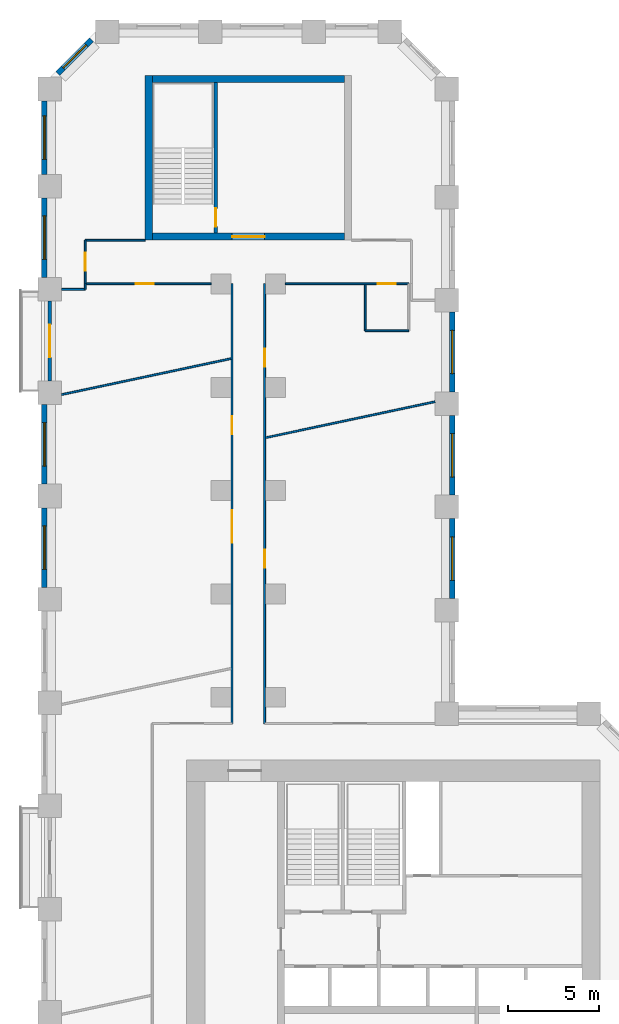
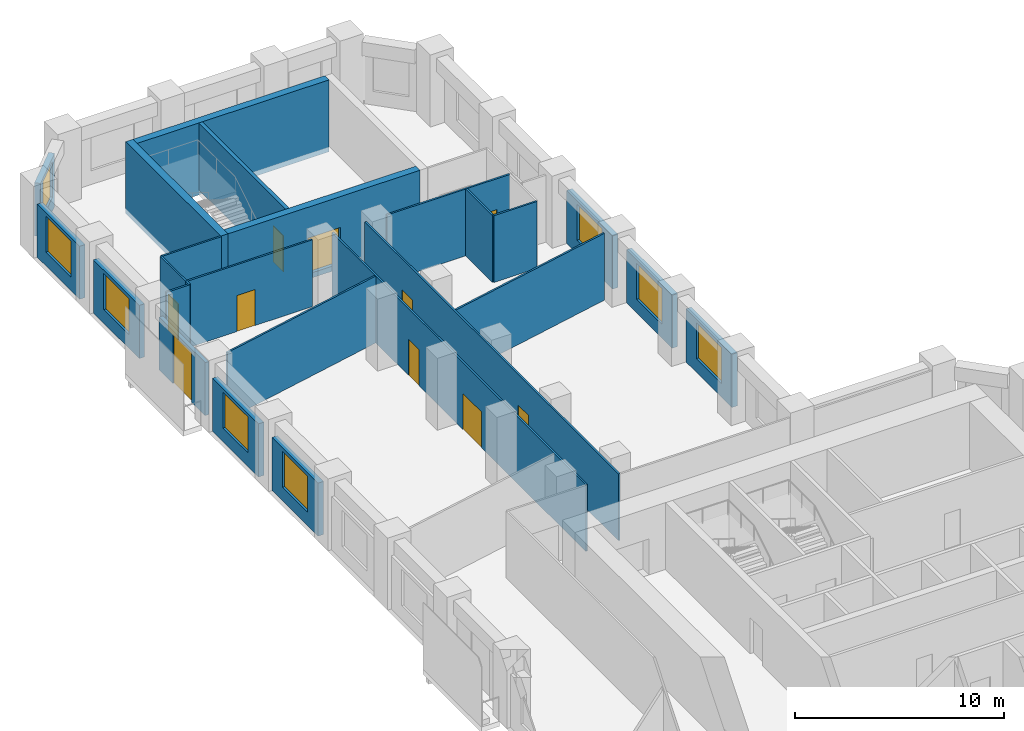
# One storey, part 8 of 11: 25 walls, 10 doors, 8 windows, 18 openings.
"""IFC4 building model written with IfcOpenShell, lengths in metres."""

from ifc_helpers import new_model, si_unit, direction, frame, frame_2d, origin, place, context, subcontext, project, spatial, rectangle, extrude, material, layer, layer_set, type_object, element, fill, save


model = new_model("IFC4")

# Units and contexts
model_context = context("Model", 3, precision=1e-05, world=origin(), true_north=direction((0.0, 1.0)))
body_context = subcontext(model_context, "Body", "Model", "MODEL_VIEW")
ifc_project = project(units=[si_unit("LENGTHUNIT", "METRE"), si_unit("AREAUNIT", "SQUARE_METRE"), si_unit("VOLUMEUNIT", "CUBIC_METRE"), si_unit("PLANEANGLEUNIT", "RADIAN"), si_unit("MASSUNIT", "GRAM", prefix="KILO")], contexts=[model_context])

# Site, building, storey
site_placement = place(None, origin())
site = spatial("IfcSite", under=ifc_project, at=site_placement, CompositionType="ELEMENT")
building_placement = place(site_placement, origin())
building = spatial("IfcBuilding", under=site, at=building_placement, Name="Meshkara Civic Tower", CompositionType="ELEMENT")
storey_placement = place(building_placement, frame((0.0, 0.0, 139.199951171875)))
storey = spatial("IfcBuildingStorey", under=building, at=storey_placement, Name="L31", CompositionType="ELEMENT", Elevation=139.199951171875)

# Wall, opening, door
ifc_material_1 = material(Name="Corridor wall 100")
ifc_layer_1 = layer(ifc_material_1, 0.10009765625)
ifc_layer_set_1 = layer_set([ifc_layer_1], Name="Corridor wall 100")
wall_type_1 = type_object("IfcWallType", Name="Corridor wall 100", PredefinedType="PARTITIONING", material=ifc_layer_set_1)
wall_1_placement = place(storey_placement, frame((2.39990234375, 63.169921875, 0.0), z_axis=(0.0, 0.0, 1.0), x_axis=(1.0, 0.0, 0.0)))
wall_1 = element("IfcWall", 1, at=wall_1_placement, inside=storey, type_object=wall_type_1, Name="L31-W001", PredefinedType="PARTITIONING", context=body_context, shape_type="SweptSolid", body=[
    extrude(rectangle(XDim=6.9501953125, YDim=0.10009765625, at=frame_2d((3.47509765625, 0.0))), origin(), (0.0, 0.0, 1.0), 3.900146484375),
])
opening_1_placement = place(wall_1_placement, frame((2.780029296875, 0.0, 0.0)))
opening_1 = element("IfcOpeningElement", 2, at=opening_1_placement, cuts=wall_1, Name="Opening L31-D023", PredefinedType="OPENING", context=body_context, shape_type="SweptSolid", body=[
    extrude(rectangle(XDim=1.0, YDim=2.10009765625, at=frame_2d((0.5, 1.050048828125))), frame((0.0, 0.06005859375, 0.0), z_axis=(0.0, -1.0, 0.0), x_axis=(1.0, 0.0, 0.0)), (0.0, 0.0, 1.0), 0.1201171875),
])
ifc_material_2 = material(Name="Door 1000 x 2100")
door_type_1 = type_object("IfcDoorType", Name="Door 1000 x 2100", OperationType="SINGLE_SWING_LEFT", PredefinedType="DOOR", material=ifc_material_2)
door_1_placement = place(opening_1_placement, origin())
door_1 = element("IfcDoor", 3, at=door_1_placement, inside=storey, type_object=door_type_1, Name="L31-D023", OperationType="SINGLE_SWING_RIGHT", OverallHeight=2.10009765625, OverallWidth=1.0, PredefinedType="DOOR", context=body_context, shape_type="SweptSolid", body=[
    extrude(rectangle(XDim=1.0, YDim=2.10009765625, at=frame_2d((0.5, 1.050048828125))), frame((0.0, 0.02490234375, 0.0), z_axis=(0.0, -1.0, 0.0), x_axis=(1.0, 0.0, 0.0)), (0.0, 0.0, 1.0), 0.050048828125),
])
fill(opening_1, door_1)

wall_2_placement = place(storey_placement, frame((2.39990234375, 65.570068359375, 0.0), z_axis=(0.0, 0.0, 1.0), x_axis=(0.0, -1.0, 0.0)))
wall_2 = element("IfcWall", 4, at=wall_2_placement, inside=storey, type_object=wall_type_1, Name="L31-W002", PredefinedType="PARTITIONING", context=body_context, shape_type="SweptSolid", body=[
    extrude(rectangle(XDim=2.400146484375, YDim=0.10009765625, at=frame_2d((1.2001953125, 0.0))), origin(), (0.0, 0.0, 1.0), 3.900146484375),
])
opening_2_placement = place(wall_2_placement, frame((0.679931640625, 0.0, 0.0)))
opening_2 = element("IfcOpeningElement", 5, at=opening_2_placement, cuts=wall_2, Name="Opening L31-D022", PredefinedType="OPENING", context=body_context, shape_type="SweptSolid", body=[
    extrude(rectangle(XDim=1.0, YDim=2.10009765625, at=frame_2d((0.5, 1.050048828125))), frame((0.0, 0.06005859375, 0.0), z_axis=(0.0, -1.0, 0.0), x_axis=(1.0, 0.0, 0.0)), (0.0, 0.0, 1.0), 0.1201171875),
])
door_2_placement = place(opening_2_placement, origin())
door_2 = element("IfcDoor", 6, at=door_2_placement, inside=storey, type_object=door_type_1, Name="L31-D022", OperationType="SINGLE_SWING_RIGHT", OverallHeight=2.10009765625, OverallWidth=1.0, PredefinedType="DOOR", context=body_context, shape_type="SweptSolid", body=[
    extrude(rectangle(XDim=1.0, YDim=2.10009765625, at=frame_2d((0.5, 1.050048828125))), frame((0.0, 0.02490234375, 0.0), z_axis=(0.0, -1.0, 0.0), x_axis=(1.0, 0.0, 0.0)), (0.0, 0.0, 1.0), 0.050048828125),
])
fill(opening_2, door_2)

# Wall
wall_3_placement = place(storey_placement, frame((5.699951171875, 65.570068359375, 0.0), z_axis=(0.0, 0.0, 1.0), x_axis=(-1.0, 0.0, 0.0)))
element("IfcWall", 7, at=wall_3_placement, inside=storey, type_object=wall_type_1, Name="L31-W003", PredefinedType="PARTITIONING", context=body_context, shape_type="SweptSolid", body=[
    extrude(rectangle(XDim=3.300048828125, YDim=0.10009765625, at=frame_2d((1.64990234375, 0.0))), origin(), (0.0, 0.0, 1.0), 3.900146484375),
])

# Wall, openings, doors
wall_4_placement = place(storey_placement, frame((10.5, 63.169921875, 0.0), z_axis=(0.0, 0.0, 1.0), x_axis=(0.0, -1.0, 0.0)))
wall_4 = element("IfcWall", 8, at=wall_4_placement, inside=storey, type_object=wall_type_1, Name="L31-W012", PredefinedType="PARTITIONING", context=body_context, shape_type="SweptSolid", body=[
    extrude(rectangle(XDim=24.27001953125, YDim=0.10009765625, at=frame_2d((12.135009765625, 0.0))), origin(), (0.0, 0.0, 1.0), 3.900146484375),
])
opening_3_placement = place(wall_4_placement, frame((12.5029296875, 0.0, 0.0)))
opening_3 = element("IfcOpeningElement", 9, at=opening_3_placement, cuts=wall_4, Name="Opening L31-D019", PredefinedType="OPENING", context=body_context, shape_type="SweptSolid", body=[
    extrude(rectangle(XDim=1.800048828125, YDim=2.10009765625, at=frame_2d((0.89990234375, 1.050048828125))), frame((0.0, 0.06005859375, 0.0), z_axis=(0.0, -1.0, 0.0), x_axis=(1.0, 0.0, 0.0)), (0.0, 0.0, 1.0), 0.1201171875),
])
opening_4_placement = place(wall_4_placement, frame((7.302978515625, 0.0, 0.0)))
opening_4 = element("IfcOpeningElement", 10, at=opening_4_placement, cuts=wall_4, Name="Opening L31-D020", PredefinedType="OPENING", context=body_context, shape_type="SweptSolid", body=[
    extrude(rectangle(XDim=1.0, YDim=2.10009765625, at=frame_2d((0.5, 1.050048828125))), frame((0.0, 0.06005859375, 0.0), z_axis=(0.0, -1.0, 0.0), x_axis=(1.0, 0.0, 0.0)), (0.0, 0.0, 1.0), 0.1201171875),
])
door_3_placement = place(opening_4_placement, origin())
door_3 = element("IfcDoor", 11, at=door_3_placement, inside=storey, type_object=door_type_1, Name="L31-D020", OperationType="SINGLE_SWING_RIGHT", OverallHeight=2.10009765625, OverallWidth=1.0, PredefinedType="DOOR", context=body_context, shape_type="SweptSolid", body=[
    extrude(rectangle(XDim=1.0, YDim=2.10009765625, at=frame_2d((0.5, 1.050048828125))), frame((0.0, 0.02490234375, 0.0), z_axis=(0.0, -1.0, 0.0), x_axis=(1.0, 0.0, 0.0)), (0.0, 0.0, 1.0), 0.050048828125),
])
fill(opening_4, door_3)
ifc_material_3 = material(Name="Door pair 1800 x 2100")
door_type_2 = type_object("IfcDoorType", Name="Door pair 1800 x 2100", OperationType="SINGLE_SWING_LEFT", PredefinedType="DOOR", material=ifc_material_3)
door_4_placement = place(opening_3_placement, origin())
door_4 = element("IfcDoor", 12, at=door_4_placement, inside=storey, type_object=door_type_2, Name="L31-D019", OperationType="DOUBLE_DOOR_SINGLE_SWING", OverallHeight=2.10009765625, OverallWidth=1.800048828125, PredefinedType="DOOR", context=body_context, shape_type="SweptSolid", body=[
    extrude(rectangle(XDim=1.800048828125, YDim=2.10009765625, at=frame_2d((0.89990234375, 1.050048828125))), frame((0.0, 0.02490234375, 0.0), z_axis=(0.0, -1.0, 0.0), x_axis=(1.0, 0.0, 0.0)), (0.0, 0.0, 1.0), 0.050048828125),
])
fill(opening_3, door_4)

wall_5_placement = place(storey_placement, frame((12.300048828125, 63.169921875, 0.0), z_axis=(0.0, 0.0, 1.0), x_axis=(0.0, -1.0, 0.0)))
wall_5 = element("IfcWall", 13, at=wall_5_placement, inside=storey, type_object=wall_type_1, Name="L31-W013", PredefinedType="PARTITIONING", context=body_context, shape_type="SweptSolid", body=[
    extrude(rectangle(XDim=24.27001953125, YDim=0.10009765625, at=frame_2d((12.135009765625, 0.0))), origin(), (0.0, 0.0, 1.0), 3.900146484375),
])
opening_5_placement = place(wall_5_placement, frame((14.678955078125, 0.0, 0.0)))
opening_5 = element("IfcOpeningElement", 14, at=opening_5_placement, cuts=wall_5, Name="Opening L31-D018", PredefinedType="OPENING", context=body_context, shape_type="SweptSolid", body=[
    extrude(rectangle(XDim=1.0, YDim=2.10009765625, at=frame_2d((0.5, 1.050048828125))), frame((0.0, 0.06005859375, 0.0), z_axis=(0.0, -1.0, 0.0), x_axis=(1.0, 0.0, 0.0)), (0.0, 0.0, 1.0), 0.1201171875),
])
opening_6_placement = place(wall_5_placement, frame((3.580078125, 0.0, 0.0)))
opening_6 = element("IfcOpeningElement", 15, at=opening_6_placement, cuts=wall_5, Name="Opening L31-D021", PredefinedType="OPENING", context=body_context, shape_type="SweptSolid", body=[
    extrude(rectangle(XDim=1.0, YDim=2.10009765625, at=frame_2d((0.5, 1.050048828125))), frame((0.0, 0.06005859375, 0.0), z_axis=(0.0, -1.0, 0.0), x_axis=(1.0, 0.0, 0.0)), (0.0, 0.0, 1.0), 0.1201171875),
])
door_5_placement = place(opening_5_placement, origin())
door_5 = element("IfcDoor", 16, at=door_5_placement, inside=storey, type_object=door_type_1, Name="L31-D018", OperationType="SINGLE_SWING_LEFT", OverallHeight=2.10009765625, OverallWidth=1.0, PredefinedType="DOOR", context=body_context, shape_type="SweptSolid", body=[
    extrude(rectangle(XDim=1.0, YDim=2.10009765625, at=frame_2d((0.5, 1.050048828125))), frame((0.0, 0.02490234375, 0.0), z_axis=(0.0, -1.0, 0.0), x_axis=(1.0, 0.0, 0.0)), (0.0, 0.0, 1.0), 0.050048828125),
])
fill(opening_5, door_5)
door_6_placement = place(opening_6_placement, origin())
door_6 = element("IfcDoor", 17, at=door_6_placement, inside=storey, type_object=door_type_1, Name="L31-D021", OperationType="SINGLE_SWING_LEFT", OverallHeight=2.10009765625, OverallWidth=1.0, PredefinedType="DOOR", context=body_context, shape_type="SweptSolid", body=[
    extrude(rectangle(XDim=1.0, YDim=2.10009765625, at=frame_2d((0.5, 1.050048828125))), frame((0.0, 0.02490234375, 0.0), z_axis=(0.0, -1.0, 0.0), x_axis=(1.0, 0.0, 0.0)), (0.0, 0.0, 1.0), 0.050048828125),
])
fill(opening_6, door_6)

# Wall, opening, door
wall_6_placement = place(storey_placement, frame((13.449951171875, 63.169921875, 0.0), z_axis=(0.0, 0.0, 1.0), x_axis=(1.0, 0.0, 0.0)))
wall_6 = element("IfcWall", 18, at=wall_6_placement, inside=storey, type_object=wall_type_1, Name="L31-W015", PredefinedType="PARTITIONING", context=body_context, shape_type="SweptSolid", body=[
    extrude(rectangle(XDim=6.800048828125, YDim=0.10009765625, at=frame_2d((3.39990234375, 0.0))), origin(), (0.0, 0.0, 1.0), 3.900146484375),
])
opening_7_placement = place(wall_6_placement, frame((5.080078125, 0.0, 0.0)))
opening_7 = element("IfcOpeningElement", 19, at=opening_7_placement, cuts=wall_6, Name="Opening L31-D025", PredefinedType="OPENING", context=body_context, shape_type="SweptSolid", body=[
    extrude(rectangle(XDim=1.0, YDim=2.10009765625, at=frame_2d((0.5, 1.050048828125))), frame((0.0, 0.06005859375, 0.0), z_axis=(0.0, -1.0, 0.0), x_axis=(1.0, 0.0, 0.0)), (0.0, 0.0, 1.0), 0.1201171875),
])
door_7_placement = place(opening_7_placement, origin())
door_7 = element("IfcDoor", 20, at=door_7_placement, inside=storey, type_object=door_type_1, Name="L31-D025", OperationType="SINGLE_SWING_RIGHT", OverallHeight=2.10009765625, OverallWidth=1.0, PredefinedType="DOOR", context=body_context, shape_type="SweptSolid", body=[
    extrude(rectangle(XDim=1.0, YDim=2.10009765625, at=frame_2d((0.5, 1.050048828125))), frame((0.0, 0.02490234375, 0.0), z_axis=(0.0, -1.0, 0.0), x_axis=(1.0, 0.0, 0.0)), (0.0, 0.0, 1.0), 0.050048828125),
])
fill(opening_7, door_7)

# Wall, opening, window
ifc_material_4 = material(Name="Insulated infill panel with bronze anodised aluminium cladding", Category="aluminium")
ifc_layer_2 = layer(ifc_material_4, 0.300048828125)
ifc_layer_set_2 = layer_set([ifc_layer_2], Name="EXTERNAL INFILL WALL 300")
wall_type_2 = type_object("IfcWallType", Name="EXTERNAL INFILL WALL 300", PredefinedType="SOLIDWALL", material=ifc_layer_set_2)
wall_7_placement = place(storey_placement, frame((22.64990234375, 45.800048828125, 0.0), z_axis=(0.0, 0.0, 1.0), x_axis=(0.0, 1.0, 0.0)))
wall_7 = element("IfcWall", 21, at=wall_7_placement, inside=storey, type_object=wall_type_2, Name="External wall", PredefinedType="SOLIDWALL", context=body_context, shape_type="SweptSolid", body=[
    extrude(rectangle(XDim=4.39990234375, YDim=0.300048828125, at=frame_2d((2.199951171875, 0.0))), origin(), (0.0, 0.0, 1.0), 3.10009765625),
])
opening_8_placement = place(wall_7_placement, frame((1.0, 0.0, 0.800048828125)))
opening_8 = element("IfcOpeningElement", 22, at=opening_8_placement, cuts=wall_7, Name="Opening W7", PredefinedType="OPENING", context=body_context, shape_type="SweptSolid", body=[
    extrude(rectangle(XDim=2.39990234375, YDim=2.10009765625, at=frame_2d((1.199951171875, 1.050048828125))), frame((0.0, 0.159912109375, 0.0), z_axis=(0.0, -1.0, 0.0), x_axis=(1.0, 0.0, 0.0)), (0.0, 0.0, 1.0), 0.320068359375),
])
ifc_material_5 = material(Name="Tinted double glazing", Category="glass")
window_type_1 = type_object("IfcWindowType", Name="WINDOW 2400x2100", PartitioningType="DOUBLE_PANEL_VERTICAL", PredefinedType="WINDOW", material=ifc_material_5)
window_1_placement = place(opening_8_placement, origin())
window_1 = element("IfcWindow", 23, at=window_1_placement, inside=storey, type_object=window_type_1, Name="Window", OverallHeight=2.10009765625, OverallWidth=2.39990234375, PartitioningType="DOUBLE_PANEL_VERTICAL", PredefinedType="WINDOW", context=body_context, shape_type="SweptSolid", body=[
    extrude(rectangle(XDim=2.39990234375, YDim=2.10009765625, at=frame_2d((1.199951171875, 1.050048828125))), frame((0.0, 0.030029296875, 0.0), z_axis=(0.0, -1.0, 0.0), x_axis=(1.0, 0.0, 0.0)), (0.0, 0.0, 1.0), 0.06005859375),
])
fill(opening_8, window_1)

wall_8_placement = place(storey_placement, frame((22.64990234375, 51.5, 0.0), z_axis=(0.0, 0.0, 1.0), x_axis=(0.0, 1.0, 0.0)))
wall_8 = element("IfcWall", 24, at=wall_8_placement, inside=storey, type_object=wall_type_2, Name="External wall", PredefinedType="SOLIDWALL", context=body_context, shape_type="SweptSolid", body=[
    extrude(rectangle(XDim=4.39990234375, YDim=0.300048828125, at=frame_2d((2.199951171875, 0.0))), origin(), (0.0, 0.0, 1.0), 3.10009765625),
])
opening_9_placement = place(wall_8_placement, frame((1.0, 0.0, 0.800048828125)))
opening_9 = element("IfcOpeningElement", 25, at=opening_9_placement, cuts=wall_8, Name="Opening W7", PredefinedType="OPENING", context=body_context, shape_type="SweptSolid", body=[
    extrude(rectangle(XDim=2.39990234375, YDim=2.10009765625, at=frame_2d((1.199951171875, 1.050048828125))), frame((0.0, 0.159912109375, 0.0), z_axis=(0.0, -1.0, 0.0), x_axis=(1.0, 0.0, 0.0)), (0.0, 0.0, 1.0), 0.320068359375),
])
window_2_placement = place(opening_9_placement, origin())
window_2 = element("IfcWindow", 26, at=window_2_placement, inside=storey, type_object=window_type_1, Name="Window", OverallHeight=2.10009765625, OverallWidth=2.39990234375, PartitioningType="DOUBLE_PANEL_VERTICAL", PredefinedType="WINDOW", context=body_context, shape_type="SweptSolid", body=[
    extrude(rectangle(XDim=2.39990234375, YDim=2.10009765625, at=frame_2d((1.199951171875, 1.050048828125))), frame((0.0, 0.030029296875, 0.0), z_axis=(0.0, -1.0, 0.0), x_axis=(1.0, 0.0, 0.0)), (0.0, 0.0, 1.0), 0.06005859375),
])
fill(opening_9, window_2)

wall_9_placement = place(storey_placement, frame((22.64990234375, 57.199951171875, 0.0), z_axis=(0.0, 0.0, 1.0), x_axis=(0.0, 1.0, 0.0)))
wall_9 = element("IfcWall", 27, at=wall_9_placement, inside=storey, type_object=wall_type_2, Name="External wall", PredefinedType="SOLIDWALL", context=body_context, shape_type="SweptSolid", body=[
    extrude(rectangle(XDim=4.400146484375, YDim=0.300048828125, at=frame_2d((2.2001953125, 0.0))), origin(), (0.0, 0.0, 1.0), 3.10009765625),
])
opening_10_placement = place(wall_9_placement, frame((1.0, 0.0, 0.800048828125)))
opening_10 = element("IfcOpeningElement", 28, at=opening_10_placement, cuts=wall_9, Name="Opening W7", PredefinedType="OPENING", context=body_context, shape_type="SweptSolid", body=[
    extrude(rectangle(XDim=2.39990234375, YDim=2.10009765625, at=frame_2d((1.199951171875, 1.050048828125))), frame((0.0, 0.159912109375, 0.0), z_axis=(0.0, -1.0, 0.0), x_axis=(1.0, 0.0, 0.0)), (0.0, 0.0, 1.0), 0.320068359375),
])
window_3_placement = place(opening_10_placement, origin())
window_3 = element("IfcWindow", 29, at=window_3_placement, inside=storey, type_object=window_type_1, Name="Window", OverallHeight=2.10009765625, OverallWidth=2.39990234375, PartitioningType="DOUBLE_PANEL_VERTICAL", PredefinedType="WINDOW", context=body_context, shape_type="SweptSolid", body=[
    extrude(rectangle(XDim=2.39990234375, YDim=2.10009765625, at=frame_2d((1.199951171875, 1.050048828125))), frame((0.0, 0.030029296875, 0.0), z_axis=(0.0, -1.0, 0.0), x_axis=(1.0, 0.0, 0.0)), (0.0, 0.0, 1.0), 0.06005859375),
])
fill(opening_10, window_3)

wall_10_placement = place(storey_placement, frame((2.743896484375, 76.632080078125, 0.0), z_axis=(0.0, 0.0, 1.0), x_axis=(-0.707060274772, -0.707153284542, 0.0)))
wall_10 = element("IfcWall", 30, at=wall_10_placement, inside=storey, type_object=wall_type_2, Name="External wall", PredefinedType="SOLIDWALL", context=body_context, shape_type="SweptSolid", body=[
    extrude(rectangle(XDim=2.625, YDim=0.300048828125, at=frame_2d((1.3125, 0.0))), origin(), (0.0, 0.0, 1.0), 3.10009765625),
])
opening_11_placement = place(wall_10_placement, frame((0.412109375, 0.0, 0.800048828125)))
opening_11 = element("IfcOpeningElement", 31, at=opening_11_placement, cuts=wall_10, Name="Opening W9", PredefinedType="OPENING", context=body_context, shape_type="SweptSolid", body=[
    extrude(rectangle(XDim=1.800048828125, YDim=2.10009765625, at=frame_2d((0.89990234375, 1.050048828125))), frame((0.0, 0.159912109375, 0.0), z_axis=(0.0, -1.0, 0.0), x_axis=(1.0, 0.0, 0.0)), (0.0, 0.0, 1.0), 0.320068359375),
])
ifc_material_6 = material(Name="Tinted double glazing", Category="glass")
window_type_2 = type_object("IfcWindowType", Name="WINDOW 1800x2100", PartitioningType="DOUBLE_PANEL_VERTICAL", PredefinedType="WINDOW", material=ifc_material_6)
window_4_placement = place(opening_11_placement, origin())
window_4 = element("IfcWindow", 32, at=window_4_placement, inside=storey, type_object=window_type_2, Name="Window", OverallHeight=2.10009765625, OverallWidth=1.800048828125, PartitioningType="DOUBLE_PANEL_VERTICAL", PredefinedType="WINDOW", context=body_context, shape_type="SweptSolid", body=[
    extrude(rectangle(XDim=1.800048828125, YDim=2.10009765625, at=frame_2d((0.89990234375, 1.050048828125))), frame((0.0, 0.030029296875, 0.0), z_axis=(0.0, -1.0, 0.0), x_axis=(1.0, 0.0, 0.0)), (0.0, 0.0, 1.0), 0.06005859375),
])
fill(opening_11, window_4)

wall_11_placement = place(storey_placement, frame((0.14990234375, 73.263916015625, 0.0), z_axis=(0.0, 0.0, 1.0), x_axis=(0.0, -1.0, 0.0)))
wall_11 = element("IfcWall", 33, at=wall_11_placement, inside=storey, type_object=wall_type_2, Name="External wall", PredefinedType="SOLIDWALL", context=body_context, shape_type="SweptSolid", body=[
    extrude(rectangle(XDim=4.058837890625, YDim=0.300048828125, at=frame_2d((2.029296875, 0.0))), origin(), (0.0, 0.0, 1.0), 3.10009765625),
])
opening_12_placement = place(wall_11_placement, frame((0.8291015625, 0.0, 0.800048828125)))
opening_12 = element("IfcOpeningElement", 34, at=opening_12_placement, cuts=wall_11, Name="Opening W7", PredefinedType="OPENING", context=body_context, shape_type="SweptSolid", body=[
    extrude(rectangle(XDim=2.39990234375, YDim=2.10009765625, at=frame_2d((1.199951171875, 1.050048828125))), frame((0.0, 0.159912109375, 0.0), z_axis=(0.0, -1.0, 0.0), x_axis=(1.0, 0.0, 0.0)), (0.0, 0.0, 1.0), 0.320068359375),
])
window_5_placement = place(opening_12_placement, origin())
window_5 = element("IfcWindow", 35, at=window_5_placement, inside=storey, type_object=window_type_1, Name="Window", OverallHeight=2.10009765625, OverallWidth=2.39990234375, PartitioningType="DOUBLE_PANEL_VERTICAL", PredefinedType="WINDOW", context=body_context, shape_type="SweptSolid", body=[
    extrude(rectangle(XDim=2.39990234375, YDim=2.10009765625, at=frame_2d((1.199951171875, 1.050048828125))), frame((0.0, 0.030029296875, 0.0), z_axis=(0.0, -1.0, 0.0), x_axis=(1.0, 0.0, 0.0)), (0.0, 0.0, 1.0), 0.06005859375),
])
fill(opening_12, window_5)

wall_12_placement = place(storey_placement, frame((0.14990234375, 67.905029296875, 0.0), z_axis=(0.0, 0.0, 1.0), x_axis=(0.0, -1.0, 0.0)))
wall_12 = element("IfcWall", 36, at=wall_12_placement, inside=storey, type_object=wall_type_2, Name="External wall", PredefinedType="SOLIDWALL", context=body_context, shape_type="SweptSolid", body=[
    extrude(rectangle(XDim=4.400146484375, YDim=0.300048828125, at=frame_2d((2.2001953125, 0.0))), origin(), (0.0, 0.0, 1.0), 3.10009765625),
])
opening_13_placement = place(wall_12_placement, frame((1.0, 0.0, 0.800048828125)))
opening_13 = element("IfcOpeningElement", 37, at=opening_13_placement, cuts=wall_12, Name="Opening W7", PredefinedType="OPENING", context=body_context, shape_type="SweptSolid", body=[
    extrude(rectangle(XDim=2.39990234375, YDim=2.10009765625, at=frame_2d((1.199951171875, 1.050048828125))), frame((0.0, 0.159912109375, 0.0), z_axis=(0.0, -1.0, 0.0), x_axis=(1.0, 0.0, 0.0)), (0.0, 0.0, 1.0), 0.320068359375),
])
window_6_placement = place(opening_13_placement, origin())
window_6 = element("IfcWindow", 38, at=window_6_placement, inside=storey, type_object=window_type_1, Name="Window", OverallHeight=2.10009765625, OverallWidth=2.39990234375, PartitioningType="DOUBLE_PANEL_VERTICAL", PredefinedType="WINDOW", context=body_context, shape_type="SweptSolid", body=[
    extrude(rectangle(XDim=2.39990234375, YDim=2.10009765625, at=frame_2d((1.199951171875, 1.050048828125))), frame((0.0, 0.030029296875, 0.0), z_axis=(0.0, -1.0, 0.0), x_axis=(1.0, 0.0, 0.0)), (0.0, 0.0, 1.0), 0.06005859375),
])
fill(opening_13, window_6)

wall_13_placement = place(storey_placement, frame((0.14990234375, 56.5048828125, 0.0), z_axis=(0.0, 0.0, 1.0), x_axis=(0.0, -1.0, 0.0)))
wall_13 = element("IfcWall", 39, at=wall_13_placement, inside=storey, type_object=wall_type_2, Name="External wall", PredefinedType="SOLIDWALL", context=body_context, shape_type="SweptSolid", body=[
    extrude(rectangle(XDim=4.39990234375, YDim=0.300048828125, at=frame_2d((2.199951171875, 0.0))), origin(), (0.0, 0.0, 1.0), 3.10009765625),
])
opening_14_placement = place(wall_13_placement, frame((1.0, 0.0, 0.800048828125)))
opening_14 = element("IfcOpeningElement", 40, at=opening_14_placement, cuts=wall_13, Name="Opening W7", PredefinedType="OPENING", context=body_context, shape_type="SweptSolid", body=[
    extrude(rectangle(XDim=2.39990234375, YDim=2.10009765625, at=frame_2d((1.199951171875, 1.050048828125))), frame((0.0, 0.159912109375, 0.0), z_axis=(0.0, -1.0, 0.0), x_axis=(1.0, 0.0, 0.0)), (0.0, 0.0, 1.0), 0.320068359375),
])
window_7_placement = place(opening_14_placement, origin())
window_7 = element("IfcWindow", 41, at=window_7_placement, inside=storey, type_object=window_type_1, Name="Window", OverallHeight=2.10009765625, OverallWidth=2.39990234375, PartitioningType="DOUBLE_PANEL_VERTICAL", PredefinedType="WINDOW", context=body_context, shape_type="SweptSolid", body=[
    extrude(rectangle(XDim=2.39990234375, YDim=2.10009765625, at=frame_2d((1.199951171875, 1.050048828125))), frame((0.0, 0.030029296875, 0.0), z_axis=(0.0, -1.0, 0.0), x_axis=(1.0, 0.0, 0.0)), (0.0, 0.0, 1.0), 0.06005859375),
])
fill(opening_14, window_7)

wall_14_placement = place(storey_placement, frame((0.14990234375, 50.804931640625, 0.0), z_axis=(0.0, 0.0, 1.0), x_axis=(0.0, -1.0, 0.0)))
wall_14 = element("IfcWall", 42, at=wall_14_placement, inside=storey, type_object=wall_type_2, Name="External wall", PredefinedType="SOLIDWALL", context=body_context, shape_type="SweptSolid", body=[
    extrude(rectangle(XDim=4.39990234375, YDim=0.300048828125, at=frame_2d((2.199951171875, 0.0))), origin(), (0.0, 0.0, 1.0), 3.10009765625),
])
opening_15_placement = place(wall_14_placement, frame((1.0, 0.0, 0.800048828125)))
opening_15 = element("IfcOpeningElement", 43, at=opening_15_placement, cuts=wall_14, Name="Opening W7", PredefinedType="OPENING", context=body_context, shape_type="SweptSolid", body=[
    extrude(rectangle(XDim=2.39990234375, YDim=2.10009765625, at=frame_2d((1.199951171875, 1.050048828125))), frame((0.0, 0.159912109375, 0.0), z_axis=(0.0, -1.0, 0.0), x_axis=(1.0, 0.0, 0.0)), (0.0, 0.0, 1.0), 0.320068359375),
])
window_8_placement = place(opening_15_placement, origin())
window_8 = element("IfcWindow", 44, at=window_8_placement, inside=storey, type_object=window_type_1, Name="Window", OverallHeight=2.10009765625, OverallWidth=2.39990234375, PartitioningType="DOUBLE_PANEL_VERTICAL", PredefinedType="WINDOW", context=body_context, shape_type="SweptSolid", body=[
    extrude(rectangle(XDim=2.39990234375, YDim=2.10009765625, at=frame_2d((1.199951171875, 1.050048828125))), frame((0.0, 0.030029296875, 0.0), z_axis=(0.0, -1.0, 0.0), x_axis=(1.0, 0.0, 0.0)), (0.0, 0.0, 1.0), 0.06005859375),
])
fill(opening_15, window_8)

# Wall
ifc_material_7 = material(Name="Concrete C70", Category="concrete")
ifc_layer_3 = layer(ifc_material_7, 0.39990234375)
ifc_layer_set_3 = layer_set([ifc_layer_3], Name="End core ring wall 400 C70")
wall_type_3 = type_object("IfcWallType", Name="End core ring wall 400 C70", PredefinedType="SHEAR", material=ifc_layer_set_3)
wall_15_placement = place(storey_placement, frame((5.89990234375, 65.570068359375, -0.300048828125), z_axis=(0.0, 0.0, 1.0), x_axis=(0.0, 1.0, 0.0)))
element("IfcWall", 45, at=wall_15_placement, inside=storey, type_object=wall_type_3, Name="L31-C025", PredefinedType="SHEAR", context=body_context, shape_type="SweptSolid", body=[
    extrude(rectangle(XDim=9.099853515625, YDim=0.39990234375, at=frame_2d((4.5498046875, 0.0))), origin(), (0.0, 0.0, 1.0), 4.2001953125),
])

# Wall, opening, door
wall_16_placement = place(storey_placement, frame((6.10009765625, 65.77001953125, -0.300048828125), z_axis=(0.0, 0.0, 1.0), x_axis=(1.0, 0.0, 0.0)))
wall_16 = element("IfcWall", 46, at=wall_16_placement, inside=storey, type_object=wall_type_3, Name="L31-C027", PredefinedType="SHEAR", context=body_context, shape_type="SweptSolid", body=[
    extrude(rectangle(XDim=10.599853515625, YDim=0.39990234375, at=frame_2d((5.2998046875, 0.0))), origin(), (0.0, 0.0, 1.0), 4.2001953125),
])
opening_16_placement = place(wall_16_placement, frame((4.39990234375, 0.0, 0.300048828125)))
opening_16 = element("IfcOpeningElement", 47, at=opening_16_placement, cuts=wall_16, Name="Opening L31-K102", PredefinedType="OPENING", context=body_context, shape_type="SweptSolid", body=[
    extrude(rectangle(XDim=1.800048828125, YDim=2.10009765625, at=frame_2d((0.89990234375, 1.050048828125))), frame((0.0, 0.2099609375, 0.0), z_axis=(0.0, -1.0, 0.0), x_axis=(1.0, 0.0, 0.0)), (0.0, 0.0, 1.0), 0.419921875),
])
ifc_material_8 = material(Name="Fire-rated door leaf in steel frame", Category="steel")
door_type_3 = type_object("IfcDoorType", Name="Core double door 1800 EI 60", OperationType="DOUBLE_DOOR_SINGLE_SWING", PredefinedType="DOOR", material=ifc_material_8)
door_8_placement = place(opening_16_placement, origin())
door_8 = element("IfcDoor", 48, at=door_8_placement, inside=storey, type_object=door_type_3, Name="L31-K102", OperationType="DOUBLE_DOOR_SINGLE_SWING", OverallHeight=2.10009765625, OverallWidth=1.800048828125, PredefinedType="DOOR", context=body_context, shape_type="SweptSolid", body=[
    extrude(rectangle(XDim=1.800048828125, YDim=2.10009765625, at=frame_2d((0.89990234375, 1.050048828125))), frame((0.0, 0.02490234375, 0.0), z_axis=(0.0, -1.0, 0.0), x_axis=(1.0, 0.0, 0.0)), (0.0, 0.0, 1.0), 0.050048828125),
])
fill(opening_16, door_8)

# Wall
wall_17_placement = place(storey_placement, frame((6.10009765625, 74.469970703125, -0.300048828125), z_axis=(0.0, 0.0, 1.0), x_axis=(1.0, 0.0, 0.0)))
element("IfcWall", 49, at=wall_17_placement, inside=storey, type_object=wall_type_3, Name="L31-C028", PredefinedType="SHEAR", context=body_context, shape_type="SweptSolid", body=[
    extrude(rectangle(XDim=10.599853515625, YDim=0.39990234375, at=frame_2d((5.2998046875, 0.0))), origin(), (0.0, 0.0, 1.0), 4.2001953125),
])

# Wall, opening, door
ifc_material_9 = material(Name="Insulated infill panel with bronze anodised aluminium cladding", Category="aluminium")
ifc_layer_4 = layer(ifc_material_9, 0.199951171875)
ifc_layer_set_4 = layer_set([ifc_layer_4], Name="LOGGIA BACK WALL 200")
wall_type_4 = type_object("IfcWallType", Name="LOGGIA BACK WALL 200", PredefinedType="SOLIDWALL", material=ifc_layer_set_4)
wall_18_placement = place(storey_placement, frame((0.449951171875, 62.2041015625, 0.0), z_axis=(0.0, 0.0, 1.0), x_axis=(0.0, -1.0, 0.0)))
wall_18 = element("IfcWall", 50, at=wall_18_placement, inside=storey, type_object=wall_type_4, Name="Loggia wall", PredefinedType="SOLIDWALL", context=body_context, shape_type="SweptSolid", body=[
    extrude(rectangle(XDim=4.399169921875, YDim=0.199951171875, at=frame_2d((2.19970703125, 0.0))), origin(), (0.0, 0.0, 1.0), 3.10009765625),
])
opening_17_placement = place(wall_18_placement, frame((1.299072265625, 0.0, 0.0)))
opening_17 = element("IfcOpeningElement", 51, at=opening_17_placement, cuts=wall_18, Name="Opening L31-L001", PredefinedType="OPENING", context=body_context, shape_type="SweptSolid", body=[
    extrude(rectangle(XDim=1.800048828125, YDim=2.89990234375, at=frame_2d((0.89990234375, 1.449951171875))), frame((0.0, 0.10986328125, 0.0), z_axis=(0.0, -1.0, 0.0), x_axis=(1.0, 0.0, 0.0)), (0.0, 0.0, 1.0), 0.219970703125),
])
ifc_material_10 = material(Name="Tinted double glazing", Category="glass")
door_type_4 = type_object("IfcDoorType", Name="LOGGIA DOOR 1800x2900", OperationType="DOUBLE_DOOR_SINGLE_SWING", PredefinedType="DOOR", material=ifc_material_10)
door_9_placement = place(opening_17_placement, origin())
door_9 = element("IfcDoor", 52, at=door_9_placement, inside=storey, type_object=door_type_4, Name="L31-L001", OperationType="DOUBLE_DOOR_SINGLE_SWING", OverallHeight=2.89990234375, OverallWidth=1.800048828125, PredefinedType="DOOR", context=body_context, shape_type="SweptSolid", body=[
    extrude(rectangle(XDim=1.800048828125, YDim=2.89990234375, at=frame_2d((0.89990234375, 1.449951171875))), frame((0.0, 0.02490234375, 0.0), z_axis=(0.0, -1.0, 0.0), x_axis=(1.0, 0.0, 0.0)), (0.0, 0.0, 1.0), 0.050048828125),
])
fill(opening_17, door_9)

# Walls
ifc_material_11 = material(Name="Partition 100")
ifc_layer_5 = layer(ifc_material_11, 0.10009765625)
ifc_layer_set_5 = layer_set([ifc_layer_5], Name="Partition 100")
wall_type_5 = type_object("IfcWallType", Name="Partition 100", PredefinedType="PARTITIONING", material=ifc_layer_set_5)
wall_19_placement = place(storey_placement, frame((2.39990234375, 62.85498046875, 0.0), z_axis=(0.0, 0.0, 1.0), x_axis=(-1.0, 0.0, 0.0)))
element("IfcWall", 53, at=wall_19_placement, inside=storey, type_object=wall_type_5, Name="L31-W031", PredefinedType="PARTITIONING", context=body_context, shape_type="SweptSolid", body=[
    extrude(rectangle(XDim=1.2998046875, YDim=0.10009765625, at=frame_2d((0.64990234375, 0.0))), origin(), (0.0, 0.0, 1.0), 3.900146484375),
])
wall_20_placement = place(storey_placement, frame((2.39990234375, 63.174072265625, 0.0), z_axis=(0.0, 0.0, 1.0), x_axis=(0.0, -1.0, 0.0)))
element("IfcWall", 54, at=wall_20_placement, inside=storey, type_object=wall_type_5, Name="L31-W032", PredefinedType="PARTITIONING", context=body_context, shape_type="SweptSolid", body=[
    extrude(rectangle(XDim=0.319091796875, YDim=0.10009765625, at=frame_2d((0.15966796875, 0.0))), origin(), (0.0, 0.0, 1.0), 3.900146484375),
])
wall_21_placement = place(storey_placement, frame((10.43994140625, 59.033935546875, 0.0), z_axis=(0.0, 0.0, 1.0), x_axis=(-0.978134931407, -0.207971286388, 0.0)))
element("IfcWall", 55, at=wall_21_placement, inside=storey, type_object=wall_type_5, Name="L31-W037", PredefinedType="PARTITIONING", context=body_context, shape_type="SweptSolid", body=[
    extrude(rectangle(XDim=9.548583984375, YDim=0.10009765625, at=frame_2d((4.7744140625, 0.0))), origin(), (0.0, 0.0, 1.0), 3.900146484375),
])
wall_22_placement = place(storey_placement, frame((17.85009765625, 60.570068359375, 0.0), z_axis=(0.0, 0.0, 1.0), x_axis=(0.0, 1.0, 0.0)))
element("IfcWall", 56, at=wall_22_placement, inside=storey, type_object=wall_type_5, Name="L31-W038", PredefinedType="PARTITIONING", context=body_context, shape_type="SweptSolid", body=[
    extrude(rectangle(XDim=2.550048828125, YDim=0.10009765625, at=frame_2d((1.27490234375, 0.0))), origin(), (0.0, 0.0, 1.0), 3.900146484375),
])
wall_23_placement = place(storey_placement, frame((20.25, 60.570068359375, 0.0), z_axis=(0.0, 0.0, 1.0), x_axis=(-1.0, 0.0, 0.0)))
element("IfcWall", 57, at=wall_23_placement, inside=storey, type_object=wall_type_5, Name="L31-W039", PredefinedType="PARTITIONING", context=body_context, shape_type="SweptSolid", body=[
    extrude(rectangle(XDim=2.39990234375, YDim=0.10009765625, at=frame_2d((1.199951171875, 0.0))), origin(), (0.0, 0.0, 1.0), 3.900146484375),
])
wall_24_placement = place(storey_placement, frame((21.699951171875, 56.656005859375, 0.0), z_axis=(0.0, 0.0, 1.0), x_axis=(-0.978150532424, -0.207897897824, 0.0)))
element("IfcWall", 58, at=wall_24_placement, inside=storey, type_object=wall_type_5, Name="L31-W042", PredefinedType="PARTITIONING", context=body_context, shape_type="SweptSolid", body=[
    extrude(rectangle(XDim=9.548583984375, YDim=0.10009765625, at=frame_2d((4.7744140625, 0.0))), origin(), (0.0, 0.0, 1.0), 3.900146484375),
])

# Wall, opening, door
ifc_material_12 = material(Name="Concrete C40/50", Category="concrete")
ifc_layer_6 = layer(ifc_material_12, 0.199951171875)
ifc_layer_set_6 = layer_set([ifc_layer_6], Name="Stair enclosure wall 200 C40/50")
wall_type_6 = type_object("IfcWallType", Name="Stair enclosure wall 200 C40/50", PredefinedType="SOLIDWALL", material=ifc_layer_set_6)
wall_25_placement = place(storey_placement, frame((9.60009765625, 65.969970703125, 0.0), z_axis=(0.0, 0.0, 1.0), x_axis=(0.0, 1.0, 0.0)))
wall_25 = element("IfcWall", 59, at=wall_25_placement, inside=storey, type_object=wall_type_6, Name="L31-C029", PredefinedType="SOLIDWALL", context=body_context, shape_type="SweptSolid", body=[
    extrude(rectangle(XDim=8.300048828125, YDim=0.199951171875, at=frame_2d((4.14990234375, 0.0))), origin(), (0.0, 0.0, 1.0), 3.900146484375),
])
opening_18_placement = place(wall_25_placement, frame((0.35009765625, 0.0, 0.0)))
opening_18 = element("IfcOpeningElement", 60, at=opening_18_placement, cuts=wall_25, Name="Opening L31-K101", PredefinedType="OPENING", context=body_context, shape_type="SweptSolid", body=[
    extrude(rectangle(XDim=1.0, YDim=2.10009765625, at=frame_2d((0.5, 1.050048828125))), frame((0.0, 0.10986328125, 0.0), z_axis=(0.0, -1.0, 0.0), x_axis=(1.0, 0.0, 0.0)), (0.0, 0.0, 1.0), 0.219970703125),
])
ifc_material_13 = material(Name="Fire-rated door leaf in steel frame", Category="steel")
door_type_5 = type_object("IfcDoorType", Name="Stair door 1000 EI 120", OperationType="SINGLE_SWING_LEFT", PredefinedType="DOOR", material=ifc_material_13)
door_10_placement = place(opening_18_placement, origin())
door_10 = element("IfcDoor", 61, at=door_10_placement, inside=storey, type_object=door_type_5, Name="L31-K101", OperationType="SINGLE_SWING_RIGHT", OverallHeight=2.10009765625, OverallWidth=1.0, PredefinedType="DOOR", context=body_context, shape_type="SweptSolid", body=[
    extrude(rectangle(XDim=1.0, YDim=2.10009765625, at=frame_2d((0.5, 1.050048828125))), frame((0.0, 0.02490234375, 0.0), z_axis=(0.0, -1.0, 0.0), x_axis=(1.0, 0.0, 0.0)), (0.0, 0.0, 1.0), 0.050048828125),
])
fill(opening_18, door_10)

save(model, "model.ifc")
